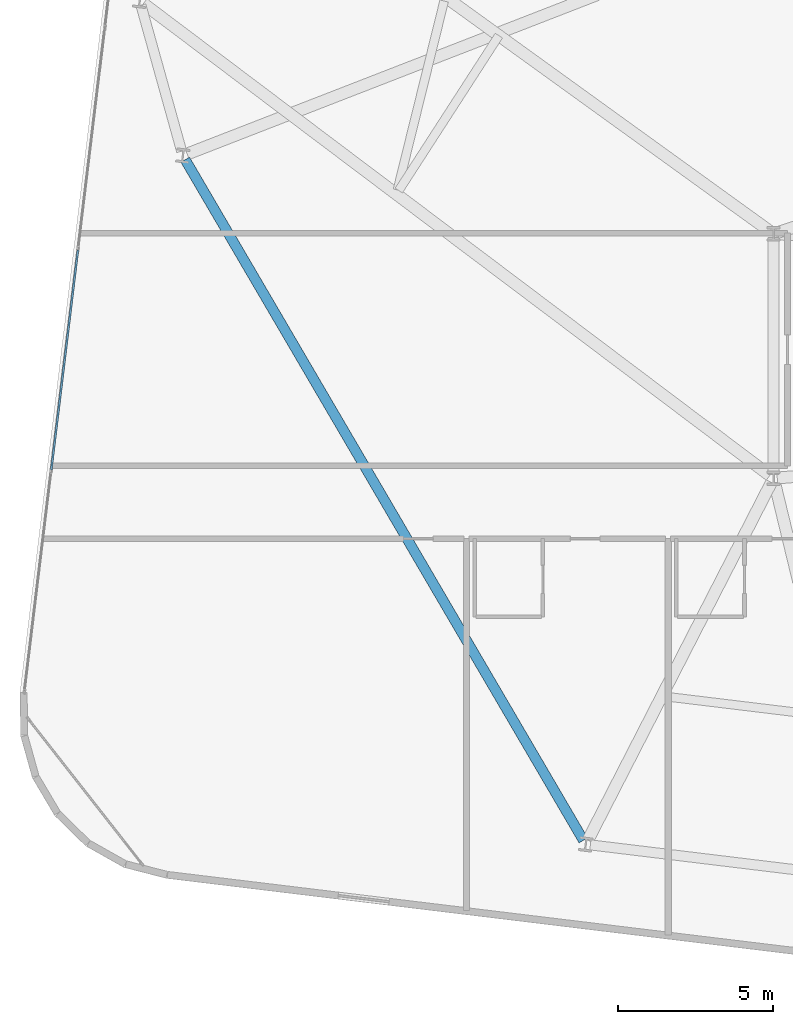
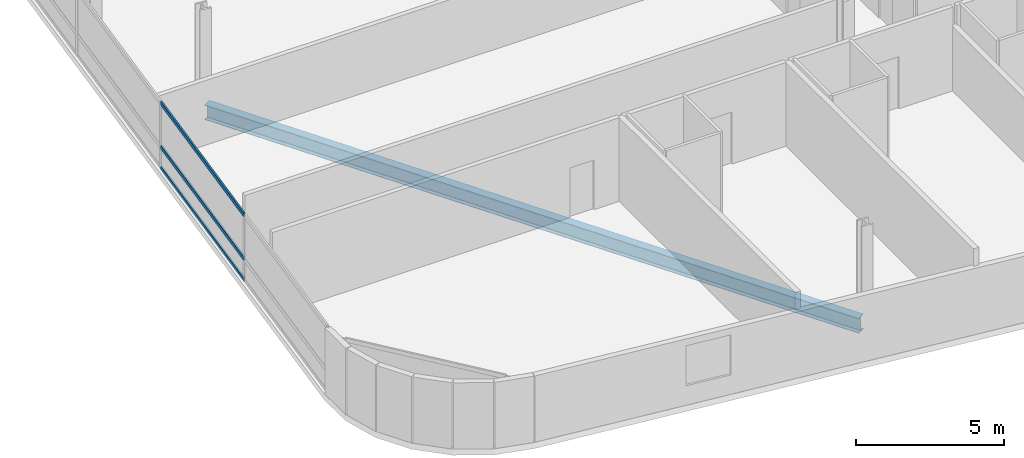
# One storey, part 5 of 26: 3 members, 1 beam, 1 element without a shape of its own.
"""IFC4 building model written with IfcOpenShell, lengths in metres."""

from ifc_helpers import new_model, si_unit, direction, frame, origin, origin_2d, place, context, subcontext, project, spatial, hollow_rectangle, i_section, extrude, material, layer, layer_set, material_profile, profile_set, type_object, element, aggregate, save


model = new_model("IFC4")

# Units and contexts
model_context = context("Model", 3, precision=1e-05, world=origin(), true_north=direction((0.0, 1.0)))
body_context = subcontext(model_context, "Body", "Model", "MODEL_VIEW")
ifc_project = project(units=[si_unit("LENGTHUNIT", "METRE"), si_unit("AREAUNIT", "SQUARE_METRE"), si_unit("VOLUMEUNIT", "CUBIC_METRE"), si_unit("PLANEANGLEUNIT", "RADIAN"), si_unit("MASSUNIT", "GRAM", prefix="KILO")], contexts=[model_context])

# Site, building, storey
site_placement = place(None, origin())
site = spatial("IfcSite", under=ifc_project, at=site_placement, CompositionType="ELEMENT")
building_placement = place(site_placement, origin())
building = spatial("IfcBuilding", under=site, at=building_placement, Name="Varnelok Gate Tower", CompositionType="ELEMENT")
storey_placement = place(building_placement, frame((0.0, 0.0, 121.699951171875)))
storey = spatial("IfcBuildingStorey", under=building, at=storey_placement, Name="L30", CompositionType="ELEMENT", Elevation=121.699951171875)

# Beam
ifc_material_1 = material(Name="Structural Steel ASTM A992 Grade 50", Category="steel")
ifc_material_profile_1 = material_profile(ifc_material_1, i_section(OverallWidth=0.323974609375, OverallDepth=0.611083984375, WebThickness=0.0126953125, FlangeThickness=0.01904296875, FilletRadius=0.01806640625, at=origin_2d()), Name="W24X104")
ifc_profile_set_1 = profile_set([ifc_material_profile_1], Name="Structural Steel ASTM A992 Grade 50")
beam_type = type_object("IfcBeamType", Name="BM-SPN-W24X104", PredefinedType="SPANDREL", material=ifc_profile_set_1)
beam_placement = place(storey_placement, frame((5.43115234375, 29.072021484375, -0.555419921875), z_axis=(0.504960797965, -0.863142278259, 0.0), x_axis=(0.863142278259, 0.504960797965, 0.0)))
element("IfcBeam", 1, at=beam_placement, inside=storey, type_object=beam_type, Name="L30 Perimeter Spandrel Beam 16", PredefinedType="SPANDREL", context=body_context, shape_type="SweptSolid", body=[
    extrude(i_section(OverallWidth=0.323974609375, OverallDepth=0.611083984375, WebThickness=0.0126953125, FlangeThickness=0.01904296875, FilletRadius=0.01806640625, at=origin_2d()), origin(), (0.0, 0.0, 1.0), 25.425537109375),
])

# Curtain wall, members
ifc_material_2 = material(Name="Anodized Aluminum Alloy 6063-T6", Category="aluminium")
ifc_layer = layer(ifc_material_2, 0.179931640625)
ifc_layer_set = layer_set([ifc_layer], Name="Anodized Aluminum Alloy 6063-T6")
curtain_wall_type = type_object("IfcCurtainWallType", Name="CW3-HOTEL-VISION", PredefinedType="USERDEFINED", material=ifc_layer_set)
curtain_wall_placement = place(storey_placement, origin())
curtain_wall = element("IfcCurtainWall", 2, at=curtain_wall_placement, inside=storey, type_object=curtain_wall_type, Name="L30 West End Vision Curtain Wall", ObjectType="UNITISED CURTAIN WALL", PredefinedType="USERDEFINED")
ifc_material_profile_2 = material_profile(ifc_material_2, hollow_rectangle(XDim=0.06494140625, YDim=0.159912109375, WallThickness=0.00390625, at=origin_2d()), Name="ALU160X65X4")
ifc_profile_set_2 = profile_set([ifc_material_profile_2], Name="Anodized Aluminum Alloy 6063-T6")
member_type = type_object("IfcMemberType", Name="CW-TRAN-160", PredefinedType="USERDEFINED", material=ifc_profile_set_2)
member_1_placement = place(storey_placement, frame((1.113525390625, 19.07080078125, 0.032470703125), z_axis=(0.120344652138, 0.992732171687, 0.0), x_axis=(-0.992732171687, 0.120344652138, 0.0)))
member_1 = element("IfcMember", 3, at=member_1_placement, type_object=member_type, Name="CW3 transom 2.1", ObjectType="TRANSOM", PredefinedType="USERDEFINED", context=body_context, shape_type="SweptSolid", body=[
    extrude(hollow_rectangle(XDim=0.06494140625, YDim=0.159912109375, WallThickness=0.00390625, at=origin_2d()), origin(), (0.0, 0.0, 1.0), 7.134765625),
])
member_2_placement = place(storey_placement, frame((1.113525390625, 19.07080078125, 0.900146484375), z_axis=(0.120344652138, 0.992732171687, 0.0), x_axis=(-0.992732171687, 0.120344652138, 0.0)))
member_2 = element("IfcMember", 4, at=member_2_placement, type_object=member_type, Name="CW3 transom 2.2", ObjectType="TRANSOM", PredefinedType="USERDEFINED", context=body_context, shape_type="SweptSolid", body=[
    extrude(hollow_rectangle(XDim=0.06494140625, YDim=0.159912109375, WallThickness=0.00390625, at=origin_2d()), origin(), (0.0, 0.0, 1.0), 7.134765625),
])
member_3_placement = place(storey_placement, frame((1.113525390625, 19.07080078125, 2.697509765625), z_axis=(0.120344652138, 0.992732171687, 0.0), x_axis=(-0.992732171687, 0.120344652138, 0.0)))
member_3 = element("IfcMember", 5, at=member_3_placement, type_object=member_type, Name="CW3 transom 2.3", ObjectType="TRANSOM", PredefinedType="USERDEFINED", context=body_context, shape_type="SweptSolid", body=[
    extrude(hollow_rectangle(XDim=0.06494140625, YDim=0.159912109375, WallThickness=0.00390625, at=origin_2d()), origin(), (0.0, 0.0, 1.0), 7.134765625),
])
aggregate(curtain_wall, [member_1, member_2, member_3])

save(model, "model.ifc")
